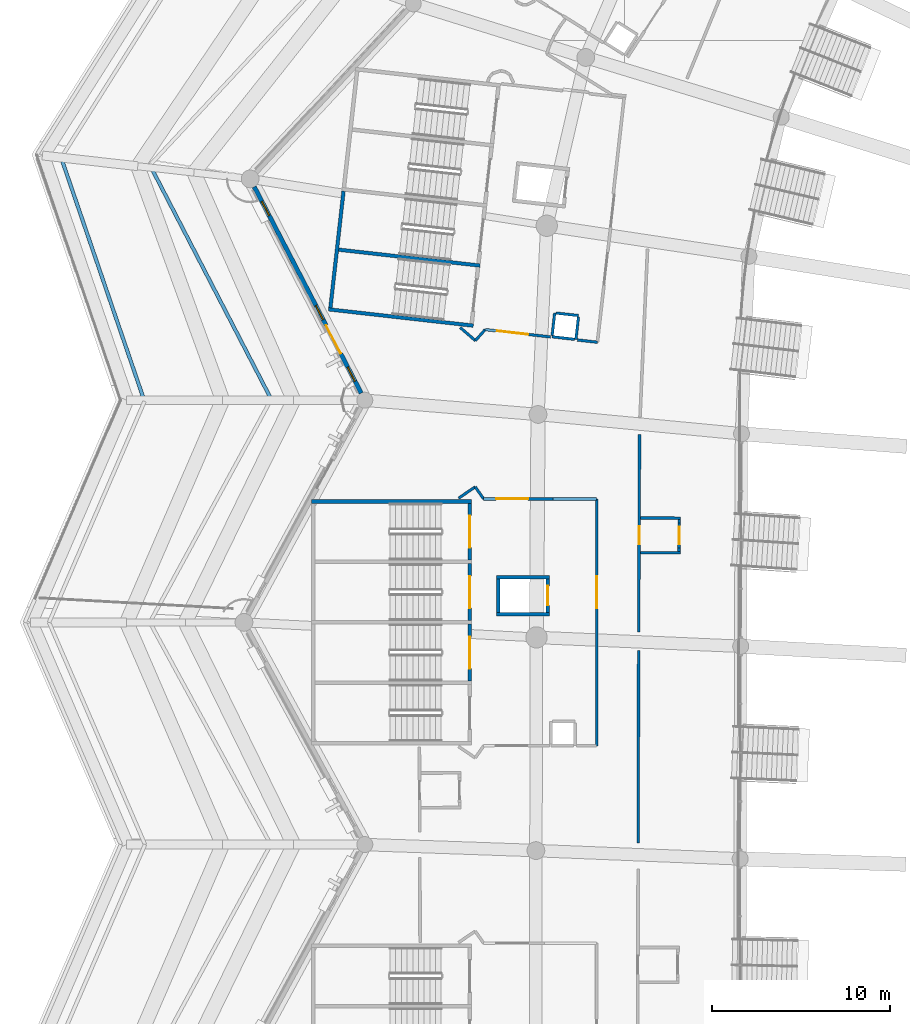
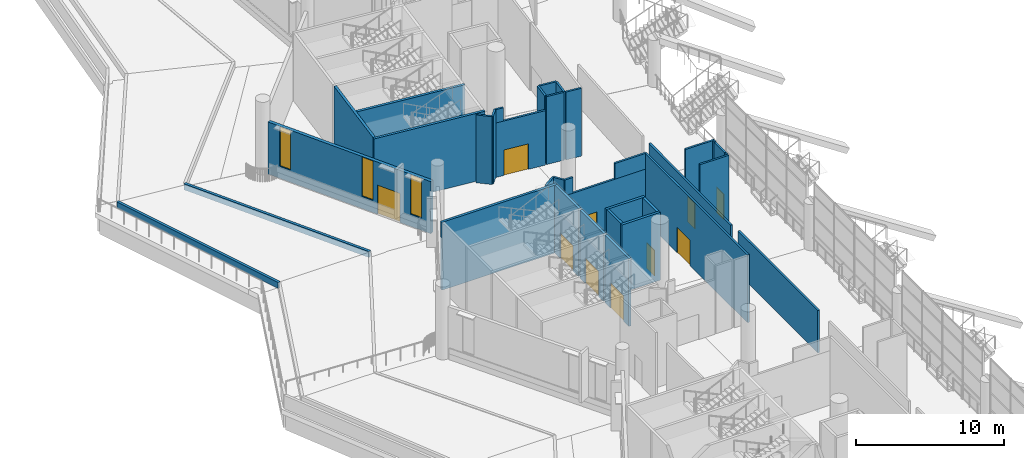
# One storey, part 62 of 173: 36 walls, 10 doors, 3 windows, 13 openings.
"""IFC4 building model written with IfcOpenShell, lengths in metres."""

from ifc_helpers import new_model, si_unit, direction, frame, frame_2d, origin, place, context, subcontext, project, spatial, rectangle, extrude, material, layer, layer_set, type_object, element, fill, save


model = new_model("IFC4")

# Units and contexts
model_context = context("Model", 3, precision=1e-05, world=origin(), true_north=direction((0.0, 1.0)))
body_context = subcontext(model_context, "Body", "Model", "MODEL_VIEW")
ifc_project = project(units=[si_unit("LENGTHUNIT", "METRE"), si_unit("AREAUNIT", "SQUARE_METRE"), si_unit("VOLUMEUNIT", "CUBIC_METRE"), si_unit("PLANEANGLEUNIT", "RADIAN"), si_unit("MASSUNIT", "GRAM", prefix="KILO")], contexts=[model_context])

# Site, building, storey
site_placement = place(None, origin())
site = spatial("IfcSite", under=ifc_project, at=site_placement, CompositionType="ELEMENT")
building_placement = place(site_placement, origin())
building = spatial("IfcBuilding", under=site, at=building_placement, Name="Meseta Stadium", CompositionType="ELEMENT")
storey_placement = place(building_placement, frame((0.0, 0.0, 18.0)))
storey = spatial("IfcBuildingStorey", under=building, at=storey_placement, Name="L03", CompositionType="ELEMENT", Elevation=18.0)

# Walls
ifc_material_1 = material(Name="Concrete C40/50", Category="concrete")
ifc_layer_1 = layer(ifc_material_1, 0.199951171875)
ifc_layer_set_1 = layer_set([ifc_layer_1], Name="Core divider wall 200")
wall_type_1 = type_object("IfcWallType", Name="Core divider wall 200", PredefinedType="SHEAR", material=ifc_layer_set_1)
wall_1_placement = place(storey_placement, frame((-96.264892578125, 52.241943359375, 0.0), z_axis=(0.0, 0.0, 1.0), x_axis=(0.993713731549, -0.111950970206, 0.0)))
element("IfcWall", 1, at=wall_1_placement, inside=storey, type_object=wall_type_1, Name="Core 15 L03 stair B divider wall", PredefinedType="SHEAR", context=body_context, shape_type="SweptSolid", body=[
    extrude(rectangle(XDim=8.19970703125, YDim=0.199951171875, at=frame_2d((4.099853515625, 0.0))), origin(), (0.0, 0.0, 1.0), 5.60009765625),
])
ifc_material_2 = material(Name="Concrete C40/50", Category="concrete")
ifc_layer_2 = layer(ifc_material_2, 0.199951171875)
ifc_layer_set_2 = layer_set([ifc_layer_2], Name="Core shaft wall 200")
wall_type_2 = type_object("IfcWallType", Name="Core shaft wall 200", PredefinedType="SHEAR", material=ifc_layer_set_2)
wall_2_placement = place(storey_placement, frame((-96.645751953125, 48.86328125, 0.0), z_axis=(0.0, 0.0, 1.0), x_axis=(0.993714104693, -0.111947658007, 0.0)))
element("IfcWall", 2, at=wall_2_placement, inside=storey, type_object=wall_type_2, Name="Core 15 L03 stair wall B-side", PredefinedType="SHEAR", context=body_context, shape_type="SweptSolid", body=[
    extrude(rectangle(XDim=8.199951171875, YDim=0.199951171875, at=frame_2d((4.10009765625, 0.0))), origin(), (0.0, 0.0, 1.0), 5.60009765625),
])
wall_3_placement = place(storey_placement, frame((-95.796142578125, 55.510009765625, 0.0), z_axis=(0.0, 0.0, 1.0), x_axis=(-0.111970106426, -0.993711575492, 0.0)))
element("IfcWall", 3, at=wall_3_placement, inside=storey, type_object=wall_type_2, Name="Core 15 L03 stair B outer end wall", PredefinedType="SHEAR", context=body_context, shape_type="SweptSolid", body=[
    extrude(rectangle(XDim=6.60009765625, YDim=0.199951171875, at=frame_2d((3.300048828125, 0.0))), origin(), (0.0, 0.0, 1.0), 5.60009765625),
])
wall_4_placement = place(storey_placement, frame((-97.60009765625, 38.050048828125, 0.0), z_axis=(0.0, 0.0, 1.0), x_axis=(1.0, 0.0, 0.0)))
element("IfcWall", 4, at=wall_4_placement, inside=storey, type_object=wall_type_2, Name="Core 16 L03 stair wall A-side", PredefinedType="SHEAR", context=body_context, shape_type="SweptSolid", body=[
    extrude(rectangle(XDim=9.0, YDim=0.199951171875, at=frame_2d((4.5, 0.0))), origin(), (0.0, 0.0, 1.0), 5.60009765625),
])

# Wall, opening, door
wall_5_placement = place(storey_placement, frame((-88.699951171875, 37.949951171875, 0.0), z_axis=(0.0, 0.0, 1.0), x_axis=(0.0, -1.0, 0.0)))
wall_5 = element("IfcWall", 5, at=wall_5_placement, inside=storey, type_object=wall_type_2, Name="Core 16 L03 stair A1 inner end wall", PredefinedType="SHEAR", context=body_context, shape_type="SweptSolid", body=[
    extrude(rectangle(XDim=3.199951171875, YDim=0.199951171875, at=frame_2d((1.60009765625, 0.0))), origin(), (0.0, 0.0, 1.0), 5.60009765625),
])
opening_1_placement = place(wall_5_placement, frame((0.699951171875, 0.0, 0.0)))
opening_1 = element("IfcOpeningElement", 6, at=opening_1_placement, cuts=wall_5, Name="Opening D1290", PredefinedType="OPENING", context=body_context, shape_type="SweptSolid", body=[
    extrude(rectangle(XDim=1.800048828125, YDim=2.10009765625, at=frame_2d((0.89990234375, 1.050048828125))), frame((0.0, 0.10986328125, 0.0), z_axis=(0.0, -1.0, 0.0), x_axis=(1.0, 0.0, 0.0)), (0.0, 0.0, 1.0), 0.219970703125),
])
ifc_material_3 = material(Name="Steel", Category="steel")
door_type_1 = type_object("IfcDoorType", Name="Stair door 1800x2100", OperationType="DOUBLE_DOOR_SINGLE_SWING", PredefinedType="DOOR", material=ifc_material_3)
door_1_placement = place(opening_1_placement, origin())
door_1 = element("IfcDoor", 7, at=door_1_placement, inside=storey, type_object=door_type_1, Name="Stair A1 door 16 L03", OperationType="DOUBLE_DOOR_SINGLE_SWING", OverallHeight=2.10009765625, OverallWidth=1.800048828125, PredefinedType="DOOR", context=body_context, shape_type="SweptSolid", body=[
    extrude(rectangle(XDim=1.800048828125, YDim=2.10009765625, at=frame_2d((0.89990234375, 1.050048828125))), frame((0.0, 0.02490234375, 0.0), z_axis=(0.0, -1.0, 0.0), x_axis=(1.0, 0.0, 0.0)), (0.0, 0.0, 1.0), 0.050048828125),
])
fill(opening_1, door_1)

wall_6_placement = place(storey_placement, frame((-88.699951171875, 34.550048828125, 0.0), z_axis=(0.0, 0.0, 1.0), x_axis=(0.0, -1.0, 0.0)))
wall_6 = element("IfcWall", 8, at=wall_6_placement, inside=storey, type_object=wall_type_2, Name="Core 16 L03 stair A2 inner end wall", PredefinedType="SHEAR", context=body_context, shape_type="SweptSolid", body=[
    extrude(rectangle(XDim=3.199951171875, YDim=0.199951171875, at=frame_2d((1.60009765625, 0.0))), origin(), (0.0, 0.0, 1.0), 5.60009765625),
])
opening_2_placement = place(wall_6_placement, frame((0.699951171875, 0.0, 0.0)))
opening_2 = element("IfcOpeningElement", 9, at=opening_2_placement, cuts=wall_6, Name="Opening D1289", PredefinedType="OPENING", context=body_context, shape_type="SweptSolid", body=[
    extrude(rectangle(XDim=1.800048828125, YDim=2.10009765625, at=frame_2d((0.89990234375, 1.050048828125))), frame((0.0, 0.10986328125, 0.0), z_axis=(0.0, -1.0, 0.0), x_axis=(1.0, 0.0, 0.0)), (0.0, 0.0, 1.0), 0.219970703125),
])
door_2_placement = place(opening_2_placement, origin())
door_2 = element("IfcDoor", 10, at=door_2_placement, inside=storey, type_object=door_type_1, Name="Stair A2 door 16 L03", OperationType="DOUBLE_DOOR_SINGLE_SWING", OverallHeight=2.10009765625, OverallWidth=1.800048828125, PredefinedType="DOOR", context=body_context, shape_type="SweptSolid", body=[
    extrude(rectangle(XDim=1.800048828125, YDim=2.10009765625, at=frame_2d((0.89990234375, 1.050048828125))), frame((0.0, 0.02490234375, 0.0), z_axis=(0.0, -1.0, 0.0), x_axis=(1.0, 0.0, 0.0)), (0.0, 0.0, 1.0), 0.050048828125),
])
fill(opening_2, door_2)

wall_7_placement = place(storey_placement, frame((-88.699951171875, 31.14990234375, 0.0), z_axis=(0.0, 0.0, 1.0), x_axis=(0.0, -1.0, 0.0)))
wall_7 = element("IfcWall", 11, at=wall_7_placement, inside=storey, type_object=wall_type_2, Name="Core 16 L03 stair B1 inner end wall", PredefinedType="SHEAR", context=body_context, shape_type="SweptSolid", body=[
    extrude(rectangle(XDim=3.199951171875, YDim=0.199951171875, at=frame_2d((1.60009765625, 0.0))), origin(), (0.0, 0.0, 1.0), 5.60009765625),
])
opening_3_placement = place(wall_7_placement, frame((0.699951171875, 0.0, 0.0)))
opening_3 = element("IfcOpeningElement", 12, at=opening_3_placement, cuts=wall_7, Name="Opening D1288", PredefinedType="OPENING", context=body_context, shape_type="SweptSolid", body=[
    extrude(rectangle(XDim=1.800048828125, YDim=2.10009765625, at=frame_2d((0.89990234375, 1.050048828125))), frame((0.0, 0.10986328125, 0.0), z_axis=(0.0, -1.0, 0.0), x_axis=(1.0, 0.0, 0.0)), (0.0, 0.0, 1.0), 0.219970703125),
])
door_3_placement = place(opening_3_placement, origin())
door_3 = element("IfcDoor", 13, at=door_3_placement, inside=storey, type_object=door_type_1, Name="Stair B1 door 16 L03", OperationType="DOUBLE_DOOR_SINGLE_SWING", OverallHeight=2.10009765625, OverallWidth=1.800048828125, PredefinedType="DOOR", context=body_context, shape_type="SweptSolid", body=[
    extrude(rectangle(XDim=1.800048828125, YDim=2.10009765625, at=frame_2d((0.89990234375, 1.050048828125))), frame((0.0, 0.02490234375, 0.0), z_axis=(0.0, -1.0, 0.0), x_axis=(1.0, 0.0, 0.0)), (0.0, 0.0, 1.0), 0.050048828125),
])
fill(opening_3, door_3)

# Walls
for number, where, z_axis, x_axis, name in (
    (14, (-87.199951171875, 33.800048828125, 0.0), (0.0, 0.0, 1.0), (1.0, 0.0, 0.0), "Core 16 L03 lift shaft wall left"),
    (15, (-87.199951171875, 31.699951171875, 0.0), (0.0, 0.0, 1.0), (1.0, 0.0, 0.0), "Core 16 L03 lift shaft wall right"),
):
    element("IfcWall", number, at=place(storey_placement, frame(where, z_axis=z_axis, x_axis=x_axis)), inside=storey, type_object=wall_type_2, Name=name, PredefinedType="SHEAR", context=body_context, shape_type="SweptSolid", body=[
        extrude(rectangle(XDim=3.0, YDim=0.199951171875, at=frame_2d((1.5, 0.0))), origin(), (0.0, 0.0, 1.0), 5.60009765625),
    ])
wall_8_placement = place(storey_placement, frame((-87.10009765625, 33.699951171875, 0.0), z_axis=(0.0, 0.0, 1.0), x_axis=(0.0, -1.0, 0.0)))
element("IfcWall", 16, at=wall_8_placement, inside=storey, type_object=wall_type_2, Name="Core 16 L03 lift shaft back wall", PredefinedType="SHEAR", context=body_context, shape_type="SweptSolid", body=[
    extrude(rectangle(XDim=1.89990234375, YDim=0.199951171875, at=frame_2d((0.949951171875, 0.0))), origin(), (0.0, 0.0, 1.0), 5.60009765625),
])

# Wall, opening, door
wall_9_placement = place(storey_placement, frame((-84.300048828125, 33.699951171875, 0.0), z_axis=(0.0, 0.0, 1.0), x_axis=(0.0, -1.0, 0.0)))
wall_9 = element("IfcWall", 17, at=wall_9_placement, inside=storey, type_object=wall_type_2, Name="Core 16 L03 lift shaft front wall", PredefinedType="SHEAR", context=body_context, shape_type="SweptSolid", body=[
    extrude(rectangle(XDim=1.89990234375, YDim=0.199951171875, at=frame_2d((0.949951171875, 0.0))), origin(), (0.0, 0.0, 1.0), 5.60009765625),
])
opening_4_placement = place(wall_9_placement, frame((0.39990234375, 0.0, 0.0)))
opening_4 = element("IfcOpeningElement", 18, at=opening_4_placement, cuts=wall_9, Name="Opening LD89", PredefinedType="OPENING", context=body_context, shape_type="SweptSolid", body=[
    extrude(rectangle(XDim=1.10009765625, YDim=2.10009765625, at=frame_2d((0.550048828125, 1.050048828125))), frame((0.0, 0.10986328125, 0.0), z_axis=(0.0, -1.0, 0.0), x_axis=(1.0, 0.0, 0.0)), (0.0, 0.0, 1.0), 0.219970703125),
])
ifc_material_4 = material(Name="Steel", Category="steel")
door_type_2 = type_object("IfcDoorType", Name="Lift landing door 1100x2100", OperationType="SLIDING_TO_LEFT", PredefinedType="DOOR", material=ifc_material_4)
door_4_placement = place(opening_4_placement, origin())
door_4 = element("IfcDoor", 19, at=door_4_placement, inside=storey, type_object=door_type_2, Name="Lift landing door LD89", OperationType="SLIDING_TO_LEFT", OverallHeight=2.10009765625, OverallWidth=1.10009765625, PredefinedType="DOOR", context=body_context, shape_type="SweptSolid", body=[
    extrude(rectangle(XDim=1.10009765625, YDim=2.10009765625, at=frame_2d((0.550048828125, 1.050048828125))), frame((0.0, 0.02490234375, 0.0), z_axis=(0.0, -1.0, 0.0), x_axis=(1.0, 0.0, 0.0)), (0.0, 0.0, 1.0), 0.050048828125),
])
fill(opening_4, door_4)

ifc_material_5 = material(Name="Masonry blockwork", Category="masonry")
ifc_layer_3 = layer(ifc_material_5, 0.14990234375)
ifc_layer_set_3 = layer_set([ifc_layer_3], Name="Partition 150")
wall_type_3 = type_object("IfcWallType", Name="Partition 150", PredefinedType="PARTITIONING", material=ifc_layer_set_3)
wall_10_placement = place(storey_placement, frame((-79.1904296875, 30.7021484375, 0.0), z_axis=(0.0, 0.0, 1.0), x_axis=(0.004546006523, 0.999989666859, 0.0)))
wall_10 = element("IfcWall", 20, at=wall_10_placement, inside=storey, type_object=wall_type_3, Name="Partition L03 L03-cell14-0-0", PredefinedType="PARTITIONING", context=body_context, shape_type="SweptSolid", body=[
    extrude(rectangle(XDim=11.11669921875, YDim=0.14990234375, at=frame_2d((5.558349609375, 0.0))), origin(), (0.0, 0.0, 1.0), 3.347412109375),
])
opening_5_placement = place(wall_10_placement, frame((4.949951171875, 0.0, 0.0)))
opening_5 = element("IfcOpeningElement", 21, at=opening_5_placement, cuts=wall_10, Name="Opening D1328", PredefinedType="OPENING", context=body_context, shape_type="SweptSolid", body=[
    extrude(rectangle(XDim=1.0, YDim=2.10009765625, at=frame_2d((0.5, 1.050048828125))), frame((0.0, 0.0849609375, 0.0), z_axis=(0.0, -1.0, 0.0), x_axis=(1.0, 0.0, 0.0)), (0.0, 0.0, 1.0), 0.169921875),
])
ifc_material_6 = material(Name="Steel", Category="steel")
door_type_3 = type_object("IfcDoorType", Name="Fire door 1000x2100 EI2 60", OperationType="NOTDEFINED", PredefinedType="DOOR", material=ifc_material_6)
door_5_placement = place(opening_5_placement, origin())
door_5 = element("IfcDoor", 22, at=door_5_placement, inside=storey, type_object=door_type_3, Name="Room door L03 L03-cell14-0-0", OperationType="SINGLE_SWING_LEFT", OverallHeight=2.10009765625, OverallWidth=1.0, PredefinedType="DOOR", context=body_context, shape_type="SweptSolid", body=[
    extrude(rectangle(XDim=1.0, YDim=2.10009765625, at=frame_2d((0.5, 1.050048828125))), frame((0.0, 0.02490234375, 0.0), z_axis=(0.0, -1.0, 0.0), x_axis=(1.0, 0.0, 0.0)), (0.0, 0.0, 1.0), 0.050048828125),
])
fill(opening_5, door_5)

# Walls
wall_11_placement = place(storey_placement, frame((-79.218505859375, 18.84521484375, 0.0), z_axis=(0.0, 0.0, 1.0), x_axis=(0.002254023351, 0.999997459686, 0.0)))
element("IfcWall", 23, at=wall_11_placement, inside=storey, type_object=wall_type_3, Name="Partition L03 L03-cell15-0-0", PredefinedType="PARTITIONING", context=body_context, shape_type="SweptSolid", body=[
    extrude(rectangle(XDim=10.831298828125, YDim=0.14990234375, at=frame_2d((5.41552734375, 0.0))), origin(), (0.0, 0.0, 1.0), 3.49853515625),
])
for number, where, z_axis, x_axis, name in (
    (24, (-83.913330078125, 48.66162109375, 0.0), (0.0, 0.0, 1.0), (-0.111818407645, -0.993728656984, 0.0), "Pressurisation shaft wall L03 core 15"),
    (25, (-84.064453125, 47.320068359375, 0.0), (0.0, 0.0, 1.0), (0.993707363865, -0.11200747743, 0.0), "Pressurisation shaft wall L03 core 15"),
):
    element("IfcWall", number, at=place(storey_placement, frame(where, z_axis=z_axis, x_axis=x_axis)), inside=storey, type_object=wall_type_3, Name=name, PredefinedType="PARTITIONING", context=body_context, shape_type="SweptSolid", body=[
        extrude(rectangle(XDim=1.275146484375, YDim=0.14990234375, at=frame_2d((0.6376953125, 0.0))), origin(), (0.0, 0.0, 1.0), 5.60009765625),
    ])
for number, where, z_axis, x_axis, name in (
    (26, (-82.722900390625, 47.1689453125, 0.0), (0.0, 0.0, 1.0), (0.112028792108, 0.993704961112, 0.0), "Pressurisation shaft wall L03 core 15"),
    (27, (-82.57177734375, 48.510498046875, 0.0), (0.0, 0.0, 1.0), (-0.993726262285, 0.111839687257, 0.0), "Pressurisation shaft wall L03 core 15"),
):
    element("IfcWall", number, at=place(storey_placement, frame(where, z_axis=z_axis, x_axis=x_axis)), inside=storey, type_object=wall_type_3, Name=name, PredefinedType="PARTITIONING", context=body_context, shape_type="SweptSolid", body=[
        extrude(rectangle(XDim=1.27490234375, YDim=0.14990234375, at=frame_2d((0.637451171875, 0.0))), origin(), (0.0, 0.0, 1.0), 5.60009765625),
    ])
wall_12_placement = place(storey_placement, frame((-82.640625, 47.139404296875, 0.0), z_axis=(0.0, 0.0, 1.0), x_axis=(0.993722649229, -0.111871785581, 0.0)))
element("IfcWall", 28, at=wall_12_placement, inside=storey, type_object=wall_type_3, Name="Stair vestibule wall L03 core 15", PredefinedType="PARTITIONING", context=body_context, shape_type="SweptSolid", body=[
    extrude(rectangle(XDim=1.134765625, YDim=0.14990234375, at=frame_2d((0.5673828125, 0.0))), origin(), (0.0, 0.0, 1.0), 5.60009765625),
])
wall_13_placement = place(storey_placement, frame((-89.233642578125, 47.83740234375, 0.0), z_axis=(0.0, 0.0, 1.0), x_axis=(0.758950911089, -0.651147843855, 0.0)))
element("IfcWall", 29, at=wall_13_placement, inside=storey, type_object=wall_type_3, Name="Stair vestibule wall L03 core 15", PredefinedType="PARTITIONING", context=body_context, shape_type="SweptSolid", body=[
    extrude(rectangle(XDim=1.1279296875, YDim=0.14990234375, at=frame_2d((0.56396484375, 0.0))), origin(), (0.0, 0.0, 1.0), 5.60009765625),
])
wall_14_placement = place(storey_placement, frame((-88.377685546875, 47.10302734375, 0.0), z_axis=(0.0, 0.0, 1.0), x_axis=(0.66330376879, 0.748350259109, 0.0)))
element("IfcWall", 30, at=wall_14_placement, inside=storey, type_object=wall_type_3, Name="Stair vestibule wall L03 core 15", PredefinedType="PARTITIONING", context=body_context, shape_type="SweptSolid", body=[
    extrude(rectangle(XDim=0.82958984375, YDim=0.14990234375, at=frame_2d((0.414794921875, 0.0))), origin(), (0.0, 0.0, 1.0), 5.60009765625),
])

# Wall, opening, door
wall_15_placement = place(storey_placement, frame((-87.827392578125, 47.723876953125, 0.0), z_axis=(0.0, 0.0, 1.0), x_axis=(0.993708869306, -0.11199412066, 0.0)))
wall_15 = element("IfcWall", 31, at=wall_15_placement, inside=storey, type_object=wall_type_3, Name="Stair vestibule wall L03 core 15", PredefinedType="PARTITIONING", context=body_context, shape_type="SweptSolid", body=[
    extrude(rectangle(XDim=3.70361328125, YDim=0.14990234375, at=frame_2d((1.851806640625, 0.0))), origin(), (0.0, 0.0, 1.0), 4.5),
])
opening_6_placement = place(wall_15_placement, frame((0.64990234375, 0.0, 0.0)))
opening_6 = element("IfcOpeningElement", 32, at=opening_6_placement, cuts=wall_15, Name="Opening D1306", PredefinedType="OPENING", context=body_context, shape_type="SweptSolid", body=[
    extrude(rectangle(XDim=1.800048828125, YDim=2.10009765625, at=frame_2d((0.89990234375, 1.050048828125))), frame((0.0, 0.0849609375, 0.0), z_axis=(0.0, -1.0, 0.0), x_axis=(1.0, 0.0, 0.0)), (0.0, 0.0, 1.0), 0.169921875),
])
ifc_material_7 = material(Name="Steel", Category="steel")
door_type_4 = type_object("IfcDoorType", Name="Fire double door 1800x2100 EI2 60", OperationType="DOUBLE_DOOR_SINGLE_SWING", PredefinedType="DOOR", material=ifc_material_7)
door_6_placement = place(opening_6_placement, origin())
door_6 = element("IfcDoor", 33, at=door_6_placement, inside=storey, type_object=door_type_4, Name="Stair vestibule door L03 core 15", OperationType="DOUBLE_DOOR_SINGLE_SWING", OverallHeight=2.10009765625, OverallWidth=1.800048828125, PredefinedType="DOOR", context=body_context, shape_type="SweptSolid", body=[
    extrude(rectangle(XDim=1.800048828125, YDim=2.10009765625, at=frame_2d((0.89990234375, 1.050048828125))), frame((0.0, 0.02490234375, 0.0), z_axis=(0.0, -1.0, 0.0), x_axis=(1.0, 0.0, 0.0)), (0.0, 0.0, 1.0), 0.050048828125),
])
fill(opening_6, door_6)

# Wall
wall_16_placement = place(storey_placement, frame((-87.827392578125, 47.723876953125, 4.5), z_axis=(0.0, 0.0, 1.0), x_axis=(0.993673547442, -0.112307083986, 0.0)))
element("IfcWall", 34, at=wall_16_placement, inside=storey, type_object=wall_type_3, Name="Stair vestibule wall L03 core 15", PredefinedType="PARTITIONING", context=body_context, shape_type="SweptSolid", body=[
    extrude(rectangle(XDim=0.60009765625, YDim=0.14990234375, at=frame_2d((0.300048828125, 0.0))), origin(), (0.0, 0.0, 1.0), 1.10009765625),
])

# Wall, opening, door
wall_17_placement = place(storey_placement, frame((-81.554931640625, 24.304931640625, 0.0), z_axis=(0.0, 0.0, 1.0), x_axis=(0.0, 1.0, 0.0)))
wall_17 = element("IfcWall", 35, at=wall_17_placement, inside=storey, type_object=wall_type_3, Name="Stair vestibule wall L03 core 16", PredefinedType="PARTITIONING", context=body_context, shape_type="SweptSolid", body=[
    extrude(rectangle(XDim=13.89013671875, YDim=0.14990234375, at=frame_2d((6.945068359375, 0.0))), origin(), (0.0, 0.0, 1.0), 5.60009765625),
])
opening_7_placement = place(wall_17_placement, frame((7.75, 0.0, 0.0)))
opening_7 = element("IfcOpeningElement", 36, at=opening_7_placement, cuts=wall_17, Name="Opening D1319", PredefinedType="OPENING", context=body_context, shape_type="SweptSolid", body=[
    extrude(rectangle(XDim=1.800048828125, YDim=2.10009765625, at=frame_2d((0.89990234375, 1.050048828125))), frame((0.0, 0.0849609375, 0.0), z_axis=(0.0, -1.0, 0.0), x_axis=(1.0, 0.0, 0.0)), (0.0, 0.0, 1.0), 0.169921875),
])
door_7_placement = place(opening_7_placement, origin())
door_7 = element("IfcDoor", 37, at=door_7_placement, inside=storey, type_object=door_type_4, Name="Stair vestibule door L03 core 16", OperationType="DOUBLE_DOOR_SINGLE_SWING", OverallHeight=2.10009765625, OverallWidth=1.800048828125, PredefinedType="DOOR", context=body_context, shape_type="SweptSolid", body=[
    extrude(rectangle(XDim=1.800048828125, YDim=2.10009765625, at=frame_2d((0.89990234375, 1.050048828125))), frame((0.0, 0.02490234375, 0.0), z_axis=(0.0, -1.0, 0.0), x_axis=(1.0, 0.0, 0.0)), (0.0, 0.0, 1.0), 0.050048828125),
])
fill(opening_7, door_7)

wall_18_placement = place(storey_placement, frame((-81.554931640625, 38.195068359375, 0.0), z_axis=(0.0, 0.0, 1.0), x_axis=(-1.0, 0.0, 0.0)))
wall_18 = element("IfcWall", 38, at=wall_18_placement, inside=storey, type_object=wall_type_3, Name="Stair vestibule wall L03 core 16", PredefinedType="PARTITIONING", context=body_context, shape_type="SweptSolid", body=[
    extrude(rectangle(XDim=6.354248046875, YDim=0.14990234375, at=frame_2d((3.17724609375, 0.0))), origin(), (0.0, 0.0, 1.0), 4.300048828125),
])
opening_8_placement = place(wall_18_placement, frame((3.85009765625, 0.0, 0.0)))
opening_8 = element("IfcOpeningElement", 39, at=opening_8_placement, cuts=wall_18, Name="Opening D1305", PredefinedType="OPENING", context=body_context, shape_type="SweptSolid", body=[
    extrude(rectangle(XDim=1.800048828125, YDim=2.10009765625, at=frame_2d((0.89990234375, 1.050048828125))), frame((0.0, 0.0849609375, 0.0), z_axis=(0.0, -1.0, 0.0), x_axis=(1.0, 0.0, 0.0)), (0.0, 0.0, 1.0), 0.169921875),
])
door_8_placement = place(opening_8_placement, origin())
door_8 = element("IfcDoor", 40, at=door_8_placement, inside=storey, type_object=door_type_4, Name="Stair vestibule door L03 core 16", OperationType="DOUBLE_DOOR_SINGLE_SWING", OverallHeight=2.10009765625, OverallWidth=1.800048828125, PredefinedType="DOOR", context=body_context, shape_type="SweptSolid", body=[
    extrude(rectangle(XDim=1.800048828125, YDim=2.10009765625, at=frame_2d((0.89990234375, 1.050048828125))), frame((0.0, 0.02490234375, 0.0), z_axis=(0.0, -1.0, 0.0), x_axis=(1.0, 0.0, 0.0)), (0.0, 0.0, 1.0), 0.050048828125),
])
fill(opening_8, door_8)

# Walls
wall_19_placement = place(storey_placement, frame((-81.554931640625, 38.195068359375, 4.300048828125), z_axis=(0.0, 0.0, 1.0), x_axis=(-1.0, 0.0, 0.0)))
element("IfcWall", 41, at=wall_19_placement, inside=storey, type_object=wall_type_3, Name="Stair vestibule wall L03 core 16", PredefinedType="PARTITIONING", context=body_context, shape_type="SweptSolid", body=[
    extrude(rectangle(XDim=2.444091796875, YDim=0.14990234375, at=frame_2d((1.22216796875, 0.0))), origin(), (0.0, 0.0, 1.0), 1.300048828125),
])
wall_20_placement = place(storey_placement, frame((-87.2548828125, 38.195068359375, 4.300048828125), z_axis=(0.0, 0.0, 1.0), x_axis=(-1.0, 0.0, 0.0)))
element("IfcWall", 42, at=wall_20_placement, inside=storey, type_object=wall_type_3, Name="Stair vestibule wall L03 core 16", PredefinedType="PARTITIONING", context=body_context, shape_type="SweptSolid", body=[
    extrude(rectangle(XDim=0.654296875, YDim=0.14990234375, at=frame_2d((0.3271484375, 0.0))), origin(), (0.0, 0.0, 1.0), 1.300048828125),
])
wall_21_placement = place(storey_placement, frame((-87.9091796875, 38.195068359375, 0.0), z_axis=(0.0, 0.0, 1.0), x_axis=(-0.575573582652, 0.81774999294, 0.0)))
element("IfcWall", 43, at=wall_21_placement, inside=storey, type_object=wall_type_3, Name="Stair vestibule wall L03 core 16", PredefinedType="PARTITIONING", context=body_context, shape_type="SweptSolid", body=[
    extrude(rectangle(XDim=0.82958984375, YDim=0.14990234375, at=frame_2d((0.414794921875, 0.0))), origin(), (0.0, 0.0, 1.0), 5.60009765625),
])
wall_22_placement = place(storey_placement, frame((-88.38671875, 38.87353515625, 0.0), z_axis=(0.0, 0.0, 1.0), x_axis=(-0.827055308354, -0.562120553728, 0.0)))
element("IfcWall", 44, at=wall_22_placement, inside=storey, type_object=wall_type_3, Name="Stair vestibule wall L03 core 16", PredefinedType="PARTITIONING", context=body_context, shape_type="SweptSolid", body=[
    extrude(rectangle(XDim=1.1279296875, YDim=0.14990234375, at=frame_2d((0.56396484375, 0.0))), origin(), (0.0, 0.0, 1.0), 5.60009765625),
])
wall_23_placement = place(storey_placement, frame((-79.09521484375, 35.1767578125, 0.0), z_axis=(0.0, 0.0, 1.0), x_axis=(0.999989615708, -0.004557244342, 0.0)))
element("IfcWall", 45, at=wall_23_placement, inside=storey, type_object=wall_type_3, Name="Partition L03 L03-cell14-0-0 vestibule", PredefinedType="PARTITIONING", context=body_context, shape_type="SweptSolid", body=[
    extrude(rectangle(XDim=2.25, YDim=0.14990234375, at=frame_2d((1.125, 0.0))), origin(), (0.0, 0.0, 1.0), 5.613525390625),
])
wall_24_placement = place(storey_placement, frame((-79.086181640625, 37.126708984375, 0.0), z_axis=(0.0, 0.0, 1.0), x_axis=(0.999990104304, -0.004448740698, 0.0)))
element("IfcWall", 46, at=wall_24_placement, inside=storey, type_object=wall_type_3, Name="Partition L03 L03-cell14-0-0 vestibule", PredefinedType="PARTITIONING", context=body_context, shape_type="SweptSolid", body=[
    extrude(rectangle(XDim=2.25, YDim=0.14990234375, at=frame_2d((1.125, 0.0))), origin(), (0.0, 0.0, 1.0), 5.68798828125),
])
wall_25_placement = place(storey_placement, frame((-76.919921875, 35.241943359375, 0.0), z_axis=(0.0, 0.0, 1.0), x_axis=(0.004883946635, 0.999988073462, 0.0)))
element("IfcWall", 47, at=wall_25_placement, inside=storey, type_object=wall_type_3, Name="Partition L03 L03-cell14-0-0 vestibule", PredefinedType="PARTITIONING", context=body_context, shape_type="SweptSolid", body=[
    extrude(rectangle(XDim=0.199951171875, YDim=0.14990234375, at=frame_2d((0.10009765625, 0.0))), origin(), (0.0, 0.0, 1.0), 5.6630859375),
])

# Wall, opening, door
wall_26_placement = place(storey_placement, frame((-76.9189453125, 35.44189453125, 0.0), z_axis=(0.0, 0.0, 1.0), x_axis=(0.004534309857, 0.999989719964, 0.0)))
wall_26 = element("IfcWall", 48, at=wall_26_placement, inside=storey, type_object=wall_type_3, Name="Partition L03 L03-cell14-0-0 vestibule", PredefinedType="PARTITIONING", context=body_context, shape_type="SweptSolid", body=[
    extrude(rectangle(XDim=1.39990234375, YDim=0.14990234375, at=frame_2d((0.699951171875, 0.0))), origin(), (0.0, 0.0, 1.0), 5.6708984375),
])
opening_9_placement = place(wall_26_placement, frame((0.199951171875, 0.0, 0.0)))
opening_9 = element("IfcOpeningElement", 49, at=opening_9_placement, cuts=wall_26, Name="Opening D1336", PredefinedType="OPENING", context=body_context, shape_type="SweptSolid", body=[
    extrude(rectangle(XDim=1.0, YDim=2.10009765625, at=frame_2d((0.5, 1.050048828125))), frame((0.0, 0.0849609375, 0.0), z_axis=(0.0, -1.0, 0.0), x_axis=(1.0, 0.0, 0.0)), (0.0, 0.0, 1.0), 0.169921875),
])
door_9_placement = place(opening_9_placement, origin())
door_9 = element("IfcDoor", 50, at=door_9_placement, inside=storey, type_object=door_type_3, Name="Vestibule door L03 L03-cell14-0-0", OperationType="SINGLE_SWING_RIGHT", OverallHeight=2.10009765625, OverallWidth=1.0, PredefinedType="DOOR", context=body_context, shape_type="SweptSolid", body=[
    extrude(rectangle(XDim=1.0, YDim=2.10009765625, at=frame_2d((0.5, 1.050048828125))), frame((0.0, 0.02490234375, 0.0), z_axis=(0.0, -1.0, 0.0), x_axis=(1.0, 0.0, 0.0)), (0.0, 0.0, 1.0), 0.050048828125),
])
fill(opening_9, door_9)

# Walls
wall_27_placement = place(storey_placement, frame((-76.91259765625, 36.841796875, 0.0), z_axis=(0.0, 0.0, 1.0), x_axis=(0.004877990744, 0.999988102532, 0.0)))
element("IfcWall", 51, at=wall_27_placement, inside=storey, type_object=wall_type_3, Name="Partition L03 L03-cell14-0-0 vestibule", PredefinedType="PARTITIONING", context=body_context, shape_type="SweptSolid", body=[
    extrude(rectangle(XDim=0.2001953125, YDim=0.14990234375, at=frame_2d((0.10009765625, 0.0))), origin(), (0.0, 0.0, 1.0), 5.7099609375),
])
ifc_material_8 = material(Name="Precast concrete C40/50", Category="concrete")
ifc_layer_4 = layer(ifc_material_8, 0.199951171875)
ifc_layer_set_4 = layer_set([ifc_layer_4], Name="Planter kerb 200")
wall_type_4 = type_object("IfcWallType", Name="Planter kerb 200", PredefinedType="USERDEFINED", material=ifc_layer_set_4)
wall_28_placement = place(storey_placement, frame((-106.9931640625, 43.687255859375, 0.0), z_axis=(0.0, 0.0, 1.0), x_axis=(-0.323740880092, 0.946145782931, 0.0)))
element("IfcWall", 52, at=wall_28_placement, inside=storey, type_object=wall_type_4, Name="Planter kerb 4.1.1", ObjectType="PLANTER", PredefinedType="USERDEFINED", context=body_context, shape_type="SweptSolid", body=[
    extrude(rectangle(XDim=14.48681640625, YDim=0.199951171875, at=frame_2d((7.243408203125, 0.0))), origin(), (0.0, 0.0, 1.0), 0.5),
])
wall_29_placement = place(storey_placement, frame((-106.688720703125, 56.974853515625, 0.0), z_axis=(0.0, 0.0, 1.0), x_axis=(0.460024104329, -0.887906427185, 0.0)))
element("IfcWall", 53, at=wall_29_placement, inside=storey, type_object=wall_type_4, Name="Planter kerb 4.1.7", ObjectType="PLANTER", PredefinedType="USERDEFINED", context=body_context, shape_type="SweptSolid", body=[
    extrude(rectangle(XDim=14.83447265625, YDim=0.199951171875, at=frame_2d((7.417236328125, 0.0))), origin(), (0.0, 0.0, 1.0), 0.5),
])

# Wall, openings, door, windows
ifc_material_9 = material(Name="White precast concrete C40/50", Category="concrete")
ifc_layer_5 = layer(ifc_material_9, 0.25)
ifc_layer_set_5 = layer_set([ifc_layer_5], Name="Pleated panel wall 250")
wall_type_5 = type_object("IfcWallType", Name="Pleated panel wall 250", PredefinedType="SOLIDWALL", material=ifc_layer_set_5)
wall_30_placement = place(storey_placement, frame((-94.806884765625, 44.1494140625, 0.0), z_axis=(0.0, 0.0, 1.0), x_axis=(-0.460021193284, 0.887907935391, 0.0)))
wall_30 = element("IfcWall", 54, at=wall_30_placement, inside=storey, type_object=wall_type_5, Name="Pleated facade panel L03 F28", PredefinedType="SOLIDWALL", context=body_context, shape_type="SweptSolid", body=[
    extrude(rectangle(XDim=13.0751953125, YDim=0.25, at=frame_2d((6.53759765625, 0.0))), origin(), (0.0, 0.0, 1.0), 4.300048828125),
])
opening_10_placement = place(wall_30_placement, frame((0.750244140625, 0.0, 1.0)))
opening_10 = element("IfcOpeningElement", 55, at=opening_10_placement, cuts=wall_30, Name="Opening W069", PredefinedType="OPENING", context=body_context, shape_type="SweptSolid", body=[
    extrude(rectangle(XDim=0.89990234375, YDim=3.25, at=frame_2d((0.449951171875, 1.625))), frame((0.0, 0.135009765625, 0.0), z_axis=(0.0, -1.0, 0.0), x_axis=(1.0, 0.0, 0.0)), (0.0, 0.0, 1.0), 0.27001953125),
])
opening_11_placement = place(wall_30_placement, frame((4.64990234375, 0.0, 1.0)))
opening_11 = element("IfcOpeningElement", 56, at=opening_11_placement, cuts=wall_30, Name="Opening W055", PredefinedType="OPENING", context=body_context, shape_type="SweptSolid", body=[
    extrude(rectangle(XDim=0.89990234375, YDim=3.25, at=frame_2d((0.449951171875, 1.625))), frame((0.0, 0.135009765625, 0.0), z_axis=(0.0, -1.0, 0.0), x_axis=(1.0, 0.0, 0.0)), (0.0, 0.0, 1.0), 0.27001953125),
])
opening_12_placement = place(wall_30_placement, frame((11.250244140625, 0.0, 1.0)))
opening_12 = element("IfcOpeningElement", 57, at=opening_12_placement, cuts=wall_30, Name="Opening W052", PredefinedType="OPENING", context=body_context, shape_type="SweptSolid", body=[
    extrude(rectangle(XDim=0.89990234375, YDim=3.25, at=frame_2d((0.449951171875, 1.625))), frame((0.0, 0.135009765625, 0.0), z_axis=(0.0, -1.0, 0.0), x_axis=(1.0, 0.0, 0.0)), (0.0, 0.0, 1.0), 0.27001953125),
])
opening_13_placement = place(wall_30_placement, frame((2.5, 0.0, 0.0)))
opening_13 = element("IfcOpeningElement", 58, at=opening_13_placement, cuts=wall_30, Name="Opening D1272", PredefinedType="OPENING", context=body_context, shape_type="SweptSolid", body=[
    extrude(rectangle(XDim=1.800048828125, YDim=2.39990234375, at=frame_2d((0.89990234375, 1.199951171875))), frame((0.0, 0.135009765625, 0.0), z_axis=(0.0, -1.0, 0.0), x_axis=(1.0, 0.0, 0.0)), (0.0, 0.0, 1.0), 0.27001953125),
])
ifc_material_10 = material(Name="Steel", Category="steel")
door_type_5 = type_object("IfcDoorType", Name="Roof garden double door 1800x2400", OperationType="DOUBLE_DOOR_SINGLE_SWING", PredefinedType="DOOR", material=ifc_material_10)
door_10_placement = place(opening_13_placement, origin())
door_10 = element("IfcDoor", 59, at=door_10_placement, inside=storey, type_object=door_type_5, Name="Roof garden door", OperationType="DOUBLE_DOOR_SINGLE_SWING", OverallHeight=2.39990234375, OverallWidth=1.800048828125, PredefinedType="DOOR", context=body_context, shape_type="SweptSolid", body=[
    extrude(rectangle(XDim=1.800048828125, YDim=2.39990234375, at=frame_2d((0.89990234375, 1.199951171875))), frame((0.0, 0.02490234375, 0.0), z_axis=(0.0, -1.0, 0.0), x_axis=(1.0, 0.0, 0.0)), (0.0, 0.0, 1.0), 0.050048828125),
])
fill(opening_13, door_10)
ifc_material_11 = material(Name="Aluminium", Category="aluminium")
window_type = type_object("IfcWindowType", Name="Slot window 900x3250", PartitioningType="SINGLE_PANEL", PredefinedType="WINDOW", material=ifc_material_11)
window_1_placement = place(opening_10_placement, origin())
window_1 = element("IfcWindow", 60, at=window_1_placement, inside=storey, type_object=window_type, Name="Slot window L03 F28.1", OverallHeight=3.25, OverallWidth=0.89990234375, PartitioningType="SINGLE_PANEL", PredefinedType="WINDOW", context=body_context, shape_type="SweptSolid", body=[
    extrude(rectangle(XDim=0.89990234375, YDim=3.25, at=frame_2d((0.449951171875, 1.625))), frame((0.0, 0.030029296875, 0.0), z_axis=(0.0, -1.0, 0.0), x_axis=(1.0, 0.0, 0.0)), (0.0, 0.0, 1.0), 0.06005859375),
])
fill(opening_10, window_1)
window_2_placement = place(opening_11_placement, origin())
window_2 = element("IfcWindow", 61, at=window_2_placement, inside=storey, type_object=window_type, Name="Slot window L03 F28.2", OverallHeight=3.25, OverallWidth=0.89990234375, PartitioningType="SINGLE_PANEL", PredefinedType="WINDOW", context=body_context, shape_type="SweptSolid", body=[
    extrude(rectangle(XDim=0.89990234375, YDim=3.25, at=frame_2d((0.449951171875, 1.625))), frame((0.0, 0.030029296875, 0.0), z_axis=(0.0, -1.0, 0.0), x_axis=(1.0, 0.0, 0.0)), (0.0, 0.0, 1.0), 0.06005859375),
])
fill(opening_11, window_2)
window_3_placement = place(opening_12_placement, origin())
window_3 = element("IfcWindow", 62, at=window_3_placement, inside=storey, type_object=window_type, Name="Slot window L03 F28.6", OverallHeight=3.25, OverallWidth=0.89990234375, PartitioningType="SINGLE_PANEL", PredefinedType="WINDOW", context=body_context, shape_type="SweptSolid", body=[
    extrude(rectangle(XDim=0.89990234375, YDim=3.25, at=frame_2d((0.449951171875, 1.625))), frame((0.0, 0.030029296875, 0.0), z_axis=(0.0, -1.0, 0.0), x_axis=(1.0, 0.0, 0.0)), (0.0, 0.0, 1.0), 0.06005859375),
])
fill(opening_12, window_3)

save(model, "model.ifc")
